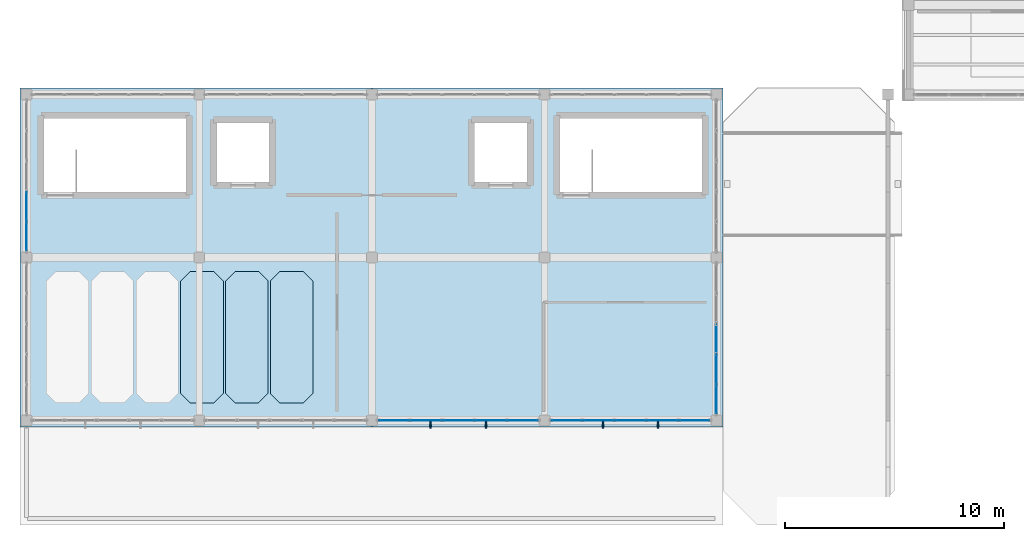
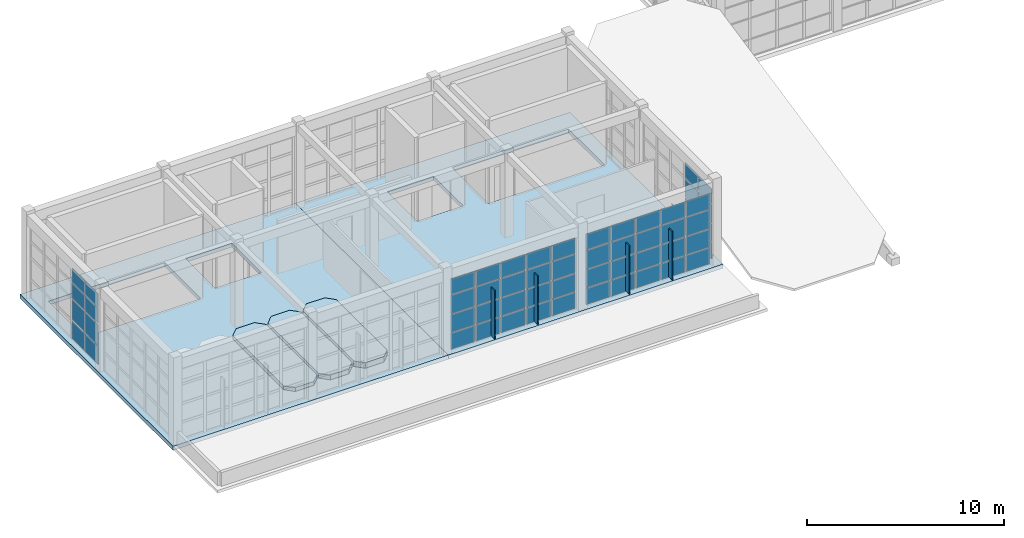
# One storey, part 63 of 103: 61 plates, 5 slabs, 4 elements without a shape of their own.
"""IFC4 building model written with IfcOpenShell, lengths in metres."""

from ifc_helpers import new_model, si_unit, direction, frame, origin, origin_2d, place, context, subcontext, project, spatial, polyline, rectangle, outline, extrude, material, layer, layer_set, type_object, element, aggregate, save


model = new_model("IFC4")

# Units and contexts
model_context = context("Model", 3, precision=1e-05, world=origin(), true_north=direction((0.0, 1.0)))
body_context = subcontext(model_context, "Body", "Model", "MODEL_VIEW")
ifc_project = project(units=[si_unit("LENGTHUNIT", "METRE"), si_unit("AREAUNIT", "SQUARE_METRE"), si_unit("VOLUMEUNIT", "CUBIC_METRE"), si_unit("PLANEANGLEUNIT", "RADIAN"), si_unit("MASSUNIT", "GRAM", prefix="KILO")], contexts=[model_context])

# Site, building, storey
site_placement = place(None, origin())
site = spatial("IfcSite", under=ifc_project, at=site_placement, CompositionType="ELEMENT")
building_placement = place(site_placement, origin())
building = spatial("IfcBuilding", under=site, at=building_placement, Name="Candilejo Ridge Gondola Terminal", CompositionType="ELEMENT")
storey_placement = place(building_placement, frame((0.0, 0.0, 9.0)))
storey = spatial("IfcBuildingStorey", under=building, at=storey_placement, Name="L02", CompositionType="ELEMENT", Elevation=9.0)

# Slabs
ifc_material_1 = material(Name="Concrete f'c 35 MPa (C35/45)", Category="concrete")
ifc_layer_1 = layer(ifc_material_1, 0.169921875)
ifc_layer_set_1 = layer_set([ifc_layer_1], Name="ARC-AUD-TIER-SLAB")
slab_type_1 = type_object("IfcSlabType", Name="ARC-AUD-TIER-SLAB", PredefinedType="USERDEFINED", material=ifc_layer_set_1)
slab_1_placement = place(storey_placement, origin())
element("IfcSlab", 1, at=slab_1_placement, inside=storey, type_object=slab_type_1, Name="Auditorium seating tier 04", ObjectType="AUDITORIUM TIER", PredefinedType="USERDEFINED", context=body_context, shape_type="SweptSolid", body=[
    extrude(outline(polyline([(11.78271484375, 11.60009765625), (12.8671875, 11.60009765625), (13.300048828125, 12.03271484375), (13.300048828125, 17.167236328125), (12.8671875, 17.60009765625), (11.78271484375, 17.60009765625), (11.35009765625, 17.167236328125), (11.35009765625, 12.03271484375), (11.78271484375, 11.60009765625)])), origin(), (0.0, 0.0, 1.0), 0.239990234375),
])
slab_2_placement = place(storey_placement, origin())
element("IfcSlab", 2, at=slab_2_placement, inside=storey, type_object=slab_type_1, Name="Auditorium seating tier 05", ObjectType="AUDITORIUM TIER", PredefinedType="USERDEFINED", context=body_context, shape_type="SweptSolid", body=[
    extrude(outline(polyline([(13.832763671875, 11.60009765625), (14.917236328125, 11.60009765625), (15.35009765625, 12.03271484375), (15.35009765625, 17.167236328125), (14.917236328125, 17.60009765625), (13.832763671875, 17.60009765625), (13.39990234375, 17.167236328125), (13.39990234375, 12.03271484375), (13.832763671875, 11.60009765625)])), origin(), (0.0, 0.0, 1.0), 0.2900390625),
])
slab_3_placement = place(storey_placement, origin())
element("IfcSlab", 3, at=slab_3_placement, inside=storey, type_object=slab_type_1, Name="Auditorium seating tier 06", ObjectType="AUDITORIUM TIER", PredefinedType="USERDEFINED", context=body_context, shape_type="SweptSolid", body=[
    extrude(outline(polyline([(15.8828125, 11.60009765625), (16.96728515625, 11.60009765625), (17.39990234375, 12.03271484375), (17.39990234375, 17.167236328125), (16.96728515625, 17.60009765625), (15.8828125, 17.60009765625), (15.449951171875, 17.167236328125), (15.449951171875, 12.03271484375), (15.8828125, 11.60009765625)])), origin(), (0.0, 0.0, 1.0), 0.340087890625),
])

# Curtain wall, plates
ifc_material_2 = material(Name="Anodised aluminium AA 6063-T6", Category="aluminium")
ifc_layer_2 = layer(ifc_material_2, 0.169921875)
ifc_layer_set_2 = layer_set([ifc_layer_2], Name="ARC-CW-GALLERY-3200-740X449")
curtain_wall_type_1 = type_object("IfcCurtainWallType", Name="ARC-CW-GALLERY-3200-740X449", PredefinedType="NOTDEFINED", material=ifc_layer_set_2)
curtain_wall_1_placement = place(storey_placement, origin())
curtain_wall_1 = element("IfcCurtainWall", 4, at=curtain_wall_1_placement, inside=storey, type_object=curtain_wall_type_1, Name="Curtain wall V1 L02-011", PredefinedType="NOTDEFINED")
ifc_material_3 = material(Name="Low-E laminated double glazing 6+12A+6+1.52PVB+6 mm", Category="glass")
ifc_layer_3 = layer(ifc_material_3, 0.028076171875)
ifc_layer_set_3 = layer_set([ifc_layer_3], Name="ARC-CW-GLAZ-PANEL")
plate_type_1 = type_object("IfcPlateType", Name="ARC-CW-GLAZ-PANEL", PredefinedType="CURTAIN_PANEL", material=ifc_layer_set_3)
plate_1_placement = place(storey_placement, frame((21.108642578125, 10.800048828125, 0.0751953125), z_axis=(0.0, 0.0, 1.0), x_axis=(1.0, 0.0, 0.0)))
plate_1 = element("IfcPlate", 5, at=plate_1_placement, type_object=plate_type_1, Name="CW-74X44 panel 1.1", PredefinedType="CURTAIN_PANEL", context=body_context, shape_type="SweptSolid", body=[
    extrude(rectangle(XDim=1.367431640625, YDim=0.028076171875, at=origin_2d()), origin(), (0.0, 0.0, 1.0), 0.987548828125),
])
plate_2_placement = place(storey_placement, frame((21.108642578125, 10.800048828125, 1.1376953125), z_axis=(0.0, 0.0, 1.0), x_axis=(1.0, 0.0, 0.0)))
plate_2 = element("IfcPlate", 6, at=plate_2_placement, type_object=plate_type_1, Name="CW-74X44 panel 1.2", PredefinedType="CURTAIN_PANEL", context=body_context, shape_type="SweptSolid", body=[
    extrude(rectangle(XDim=1.367431640625, YDim=0.028076171875, at=origin_2d()), origin(), (0.0, 0.0, 1.0), 1.074951171875),
])
plate_3_placement = place(storey_placement, frame((21.108642578125, 10.800048828125, 2.28759765625), z_axis=(0.0, 0.0, 1.0), x_axis=(1.0, 0.0, 0.0)))
plate_3 = element("IfcPlate", 7, at=plate_3_placement, type_object=plate_type_1, Name="CW-74X44 panel 1.3", PredefinedType="CURTAIN_PANEL", context=body_context, shape_type="SweptSolid", body=[
    extrude(rectangle(XDim=1.367431640625, YDim=0.028076171875, at=origin_2d()), origin(), (0.0, 0.0, 1.0), 1.125),
])
plate_4_placement = place(storey_placement, frame((21.108642578125, 10.800048828125, 3.4873046875), z_axis=(0.0, 0.0, 1.0), x_axis=(1.0, 0.0, 0.0)))
plate_4 = element("IfcPlate", 8, at=plate_4_placement, type_object=plate_type_1, Name="CW-74X44 panel 1.4", PredefinedType="CURTAIN_PANEL", context=body_context, shape_type="SweptSolid", body=[
    extrude(rectangle(XDim=1.367431640625, YDim=0.028076171875, at=origin_2d()), origin(), (0.0, 0.0, 1.0), 0.927490234375),
])
plate_5_placement = place(storey_placement, frame((22.570068359375, 10.800048828125, 0.0751953125), z_axis=(0.0, 0.0, 1.0), x_axis=(1.0, 0.0, 0.0)))
plate_5 = element("IfcPlate", 9, at=plate_5_placement, type_object=plate_type_1, Name="CW-74X44 panel 2.1", PredefinedType="CURTAIN_PANEL", context=body_context, shape_type="SweptSolid", body=[
    extrude(rectangle(XDim=1.405029296875, YDim=0.028076171875, at=origin_2d()), origin(), (0.0, 0.0, 1.0), 0.987548828125),
])
plate_6_placement = place(storey_placement, frame((22.570068359375, 10.800048828125, 1.1376953125), z_axis=(0.0, 0.0, 1.0), x_axis=(1.0, 0.0, 0.0)))
plate_6 = element("IfcPlate", 10, at=plate_6_placement, type_object=plate_type_1, Name="CW-74X44 panel 2.2", PredefinedType="CURTAIN_PANEL", context=body_context, shape_type="SweptSolid", body=[
    extrude(rectangle(XDim=1.405029296875, YDim=0.028076171875, at=origin_2d()), origin(), (0.0, 0.0, 1.0), 1.074951171875),
])
plate_7_placement = place(storey_placement, frame((22.570068359375, 10.800048828125, 2.28759765625), z_axis=(0.0, 0.0, 1.0), x_axis=(1.0, 0.0, 0.0)))
plate_7 = element("IfcPlate", 11, at=plate_7_placement, type_object=plate_type_1, Name="CW-74X44 panel 2.3", PredefinedType="CURTAIN_PANEL", context=body_context, shape_type="SweptSolid", body=[
    extrude(rectangle(XDim=1.405029296875, YDim=0.028076171875, at=origin_2d()), origin(), (0.0, 0.0, 1.0), 1.125),
])
plate_8_placement = place(storey_placement, frame((22.570068359375, 10.800048828125, 3.4873046875), z_axis=(0.0, 0.0, 1.0), x_axis=(1.0, 0.0, 0.0)))
plate_8 = element("IfcPlate", 12, at=plate_8_placement, type_object=plate_type_1, Name="CW-74X44 panel 2.4", PredefinedType="CURTAIN_PANEL", context=body_context, shape_type="SweptSolid", body=[
    extrude(rectangle(XDim=1.405029296875, YDim=0.028076171875, at=origin_2d()), origin(), (0.0, 0.0, 1.0), 0.927490234375),
])
plate_9_placement = place(storey_placement, frame((24.050048828125, 10.800048828125, 0.0751953125), z_axis=(0.0, 0.0, 1.0), x_axis=(1.0, 0.0, 0.0)))
plate_9 = element("IfcPlate", 13, at=plate_9_placement, type_object=plate_type_1, Name="CW-74X44 panel 3.1", PredefinedType="CURTAIN_PANEL", context=body_context, shape_type="SweptSolid", body=[
    extrude(rectangle(XDim=1.405029296875, YDim=0.028076171875, at=origin_2d()), origin(), (0.0, 0.0, 1.0), 0.987548828125),
])
plate_10_placement = place(storey_placement, frame((24.050048828125, 10.800048828125, 1.1376953125), z_axis=(0.0, 0.0, 1.0), x_axis=(1.0, 0.0, 0.0)))
plate_10 = element("IfcPlate", 14, at=plate_10_placement, type_object=plate_type_1, Name="CW-74X44 panel 3.2", PredefinedType="CURTAIN_PANEL", context=body_context, shape_type="SweptSolid", body=[
    extrude(rectangle(XDim=1.405029296875, YDim=0.028076171875, at=origin_2d()), origin(), (0.0, 0.0, 1.0), 1.074951171875),
])
plate_11_placement = place(storey_placement, frame((24.050048828125, 10.800048828125, 2.28759765625), z_axis=(0.0, 0.0, 1.0), x_axis=(1.0, 0.0, 0.0)))
plate_11 = element("IfcPlate", 15, at=plate_11_placement, type_object=plate_type_1, Name="CW-74X44 panel 3.3", PredefinedType="CURTAIN_PANEL", context=body_context, shape_type="SweptSolid", body=[
    extrude(rectangle(XDim=1.405029296875, YDim=0.028076171875, at=origin_2d()), origin(), (0.0, 0.0, 1.0), 1.125),
])
plate_12_placement = place(storey_placement, frame((24.050048828125, 10.800048828125, 3.4873046875), z_axis=(0.0, 0.0, 1.0), x_axis=(1.0, 0.0, 0.0)))
plate_12 = element("IfcPlate", 16, at=plate_12_placement, type_object=plate_type_1, Name="CW-74X44 panel 3.4", PredefinedType="CURTAIN_PANEL", context=body_context, shape_type="SweptSolid", body=[
    extrude(rectangle(XDim=1.405029296875, YDim=0.028076171875, at=origin_2d()), origin(), (0.0, 0.0, 1.0), 0.927490234375),
])
plate_13_placement = place(storey_placement, frame((25.530029296875, 10.800048828125, 0.0751953125), z_axis=(0.0, 0.0, 1.0), x_axis=(1.0, 0.0, 0.0)))
plate_13 = element("IfcPlate", 17, at=plate_13_placement, type_object=plate_type_1, Name="CW-74X44 panel 4.1", PredefinedType="CURTAIN_PANEL", context=body_context, shape_type="SweptSolid", body=[
    extrude(rectangle(XDim=1.405029296875, YDim=0.028076171875, at=origin_2d()), origin(), (0.0, 0.0, 1.0), 0.987548828125),
])
plate_14_placement = place(storey_placement, frame((25.530029296875, 10.800048828125, 1.1376953125), z_axis=(0.0, 0.0, 1.0), x_axis=(1.0, 0.0, 0.0)))
plate_14 = element("IfcPlate", 18, at=plate_14_placement, type_object=plate_type_1, Name="CW-74X44 panel 4.2", PredefinedType="CURTAIN_PANEL", context=body_context, shape_type="SweptSolid", body=[
    extrude(rectangle(XDim=1.405029296875, YDim=0.028076171875, at=origin_2d()), origin(), (0.0, 0.0, 1.0), 1.074951171875),
])
plate_15_placement = place(storey_placement, frame((25.530029296875, 10.800048828125, 2.28759765625), z_axis=(0.0, 0.0, 1.0), x_axis=(1.0, 0.0, 0.0)))
plate_15 = element("IfcPlate", 19, at=plate_15_placement, type_object=plate_type_1, Name="CW-74X44 panel 4.3", PredefinedType="CURTAIN_PANEL", context=body_context, shape_type="SweptSolid", body=[
    extrude(rectangle(XDim=1.405029296875, YDim=0.028076171875, at=origin_2d()), origin(), (0.0, 0.0, 1.0), 1.125),
])
plate_16_placement = place(storey_placement, frame((25.530029296875, 10.800048828125, 3.4873046875), z_axis=(0.0, 0.0, 1.0), x_axis=(1.0, 0.0, 0.0)))
plate_16 = element("IfcPlate", 20, at=plate_16_placement, type_object=plate_type_1, Name="CW-74X44 panel 4.4", PredefinedType="CURTAIN_PANEL", context=body_context, shape_type="SweptSolid", body=[
    extrude(rectangle(XDim=1.405029296875, YDim=0.028076171875, at=origin_2d()), origin(), (0.0, 0.0, 1.0), 0.927490234375),
])
plate_17_placement = place(storey_placement, frame((26.9912109375, 10.800048828125, 0.0751953125), z_axis=(0.0, 0.0, 1.0), x_axis=(1.0, 0.0, 0.0)))
plate_17 = element("IfcPlate", 21, at=plate_17_placement, type_object=plate_type_1, Name="CW-74X44 panel 5.1", PredefinedType="CURTAIN_PANEL", context=body_context, shape_type="SweptSolid", body=[
    extrude(rectangle(XDim=1.367431640625, YDim=0.028076171875, at=origin_2d()), origin(), (0.0, 0.0, 1.0), 0.987548828125),
])
plate_18_placement = place(storey_placement, frame((26.9912109375, 10.800048828125, 1.1376953125), z_axis=(0.0, 0.0, 1.0), x_axis=(1.0, 0.0, 0.0)))
plate_18 = element("IfcPlate", 22, at=plate_18_placement, type_object=plate_type_1, Name="CW-74X44 panel 5.2", PredefinedType="CURTAIN_PANEL", context=body_context, shape_type="SweptSolid", body=[
    extrude(rectangle(XDim=1.367431640625, YDim=0.028076171875, at=origin_2d()), origin(), (0.0, 0.0, 1.0), 1.074951171875),
])
plate_19_placement = place(storey_placement, frame((26.9912109375, 10.800048828125, 2.28759765625), z_axis=(0.0, 0.0, 1.0), x_axis=(1.0, 0.0, 0.0)))
plate_19 = element("IfcPlate", 23, at=plate_19_placement, type_object=plate_type_1, Name="CW-74X44 panel 5.3", PredefinedType="CURTAIN_PANEL", context=body_context, shape_type="SweptSolid", body=[
    extrude(rectangle(XDim=1.367431640625, YDim=0.028076171875, at=origin_2d()), origin(), (0.0, 0.0, 1.0), 1.125),
])
plate_20_placement = place(storey_placement, frame((26.9912109375, 10.800048828125, 3.4873046875), z_axis=(0.0, 0.0, 1.0), x_axis=(1.0, 0.0, 0.0)))
plate_20 = element("IfcPlate", 24, at=plate_20_placement, type_object=plate_type_1, Name="CW-74X44 panel 5.4", PredefinedType="CURTAIN_PANEL", context=body_context, shape_type="SweptSolid", body=[
    extrude(rectangle(XDim=1.367431640625, YDim=0.028076171875, at=origin_2d()), origin(), (0.0, 0.0, 1.0), 0.927490234375),
])
aggregate(curtain_wall_1, [plate_1, plate_2, plate_3, plate_4, plate_5, plate_6, plate_7, plate_8, plate_9, plate_10, plate_11, plate_12, plate_13, plate_14, plate_15, plate_16, plate_17, plate_18, plate_19, plate_20])

ifc_material_4 = material(Name="Anodised aluminium AA 6063-T6", Category="aluminium")
ifc_layer_4 = layer(ifc_material_4, 0.169921875)
ifc_layer_set_4 = layer_set([ifc_layer_4], Name="ARC-CW-GALLERY-3200-735X449")
curtain_wall_type_2 = type_object("IfcCurtainWallType", Name="ARC-CW-GALLERY-3200-735X449", PredefinedType="NOTDEFINED", material=ifc_layer_set_4)
curtain_wall_2_placement = place(storey_placement, origin())
curtain_wall_2 = element("IfcCurtainWall", 25, at=curtain_wall_2_placement, inside=storey, type_object=curtain_wall_type_2, Name="Curtain wall V1 L02-015", PredefinedType="NOTDEFINED")
plate_21_placement = place(storey_placement, frame((29.003662109375, 10.800048828125, 0.0751953125), z_axis=(0.0, 0.0, 1.0), x_axis=(1.0, 0.0, 0.0)))
plate_21 = element("IfcPlate", 26, at=plate_21_placement, type_object=plate_type_1, Name="CW-73X44 panel 1.1", PredefinedType="CURTAIN_PANEL", context=body_context, shape_type="SweptSolid", body=[
    extrude(rectangle(XDim=1.357421875, YDim=0.028076171875, at=origin_2d()), origin(), (0.0, 0.0, 1.0), 0.987548828125),
])
plate_22_placement = place(storey_placement, frame((29.003662109375, 10.800048828125, 1.1376953125), z_axis=(0.0, 0.0, 1.0), x_axis=(1.0, 0.0, 0.0)))
plate_22 = element("IfcPlate", 27, at=plate_22_placement, type_object=plate_type_1, Name="CW-73X44 panel 1.2", PredefinedType="CURTAIN_PANEL", context=body_context, shape_type="SweptSolid", body=[
    extrude(rectangle(XDim=1.357421875, YDim=0.028076171875, at=origin_2d()), origin(), (0.0, 0.0, 1.0), 1.074951171875),
])
plate_23_placement = place(storey_placement, frame((29.003662109375, 10.800048828125, 2.28759765625), z_axis=(0.0, 0.0, 1.0), x_axis=(1.0, 0.0, 0.0)))
plate_23 = element("IfcPlate", 28, at=plate_23_placement, type_object=plate_type_1, Name="CW-73X44 panel 1.3", PredefinedType="CURTAIN_PANEL", context=body_context, shape_type="SweptSolid", body=[
    extrude(rectangle(XDim=1.357421875, YDim=0.028076171875, at=origin_2d()), origin(), (0.0, 0.0, 1.0), 1.125),
])
plate_24_placement = place(storey_placement, frame((29.003662109375, 10.800048828125, 3.4873046875), z_axis=(0.0, 0.0, 1.0), x_axis=(1.0, 0.0, 0.0)))
plate_24 = element("IfcPlate", 29, at=plate_24_placement, type_object=plate_type_1, Name="CW-73X44 panel 1.4", PredefinedType="CURTAIN_PANEL", context=body_context, shape_type="SweptSolid", body=[
    extrude(rectangle(XDim=1.357421875, YDim=0.028076171875, at=origin_2d()), origin(), (0.0, 0.0, 1.0), 0.927490234375),
])
plate_25_placement = place(storey_placement, frame((30.455078125, 10.800048828125, 0.0751953125), z_axis=(0.0, 0.0, 1.0), x_axis=(1.0, 0.0, 0.0)))
plate_25 = element("IfcPlate", 30, at=plate_25_placement, type_object=plate_type_1, Name="CW-73X44 panel 2.1", PredefinedType="CURTAIN_PANEL", context=body_context, shape_type="SweptSolid", body=[
    extrude(rectangle(XDim=1.39501953125, YDim=0.028076171875, at=origin_2d()), origin(), (0.0, 0.0, 1.0), 0.987548828125),
])
plate_26_placement = place(storey_placement, frame((30.455078125, 10.800048828125, 1.1376953125), z_axis=(0.0, 0.0, 1.0), x_axis=(1.0, 0.0, 0.0)))
plate_26 = element("IfcPlate", 31, at=plate_26_placement, type_object=plate_type_1, Name="CW-73X44 panel 2.2", PredefinedType="CURTAIN_PANEL", context=body_context, shape_type="SweptSolid", body=[
    extrude(rectangle(XDim=1.39501953125, YDim=0.028076171875, at=origin_2d()), origin(), (0.0, 0.0, 1.0), 1.074951171875),
])
plate_27_placement = place(storey_placement, frame((30.455078125, 10.800048828125, 2.28759765625), z_axis=(0.0, 0.0, 1.0), x_axis=(1.0, 0.0, 0.0)))
plate_27 = element("IfcPlate", 32, at=plate_27_placement, type_object=plate_type_1, Name="CW-73X44 panel 2.3", PredefinedType="CURTAIN_PANEL", context=body_context, shape_type="SweptSolid", body=[
    extrude(rectangle(XDim=1.39501953125, YDim=0.028076171875, at=origin_2d()), origin(), (0.0, 0.0, 1.0), 1.125),
])
plate_28_placement = place(storey_placement, frame((30.455078125, 10.800048828125, 3.4873046875), z_axis=(0.0, 0.0, 1.0), x_axis=(1.0, 0.0, 0.0)))
plate_28 = element("IfcPlate", 33, at=plate_28_placement, type_object=plate_type_1, Name="CW-73X44 panel 2.4", PredefinedType="CURTAIN_PANEL", context=body_context, shape_type="SweptSolid", body=[
    extrude(rectangle(XDim=1.39501953125, YDim=0.028076171875, at=origin_2d()), origin(), (0.0, 0.0, 1.0), 0.927490234375),
])
plate_29_placement = place(storey_placement, frame((31.925048828125, 10.800048828125, 0.0751953125), z_axis=(0.0, 0.0, 1.0), x_axis=(1.0, 0.0, 0.0)))
plate_29 = element("IfcPlate", 34, at=plate_29_placement, type_object=plate_type_1, Name="CW-73X44 panel 3.1", PredefinedType="CURTAIN_PANEL", context=body_context, shape_type="SweptSolid", body=[
    extrude(rectangle(XDim=1.39501953125, YDim=0.028076171875, at=origin_2d()), origin(), (0.0, 0.0, 1.0), 0.987548828125),
])
plate_30_placement = place(storey_placement, frame((31.925048828125, 10.800048828125, 1.1376953125), z_axis=(0.0, 0.0, 1.0), x_axis=(1.0, 0.0, 0.0)))
plate_30 = element("IfcPlate", 35, at=plate_30_placement, type_object=plate_type_1, Name="CW-73X44 panel 3.2", PredefinedType="CURTAIN_PANEL", context=body_context, shape_type="SweptSolid", body=[
    extrude(rectangle(XDim=1.39501953125, YDim=0.028076171875, at=origin_2d()), origin(), (0.0, 0.0, 1.0), 1.074951171875),
])
plate_31_placement = place(storey_placement, frame((31.925048828125, 10.800048828125, 2.28759765625), z_axis=(0.0, 0.0, 1.0), x_axis=(1.0, 0.0, 0.0)))
plate_31 = element("IfcPlate", 36, at=plate_31_placement, type_object=plate_type_1, Name="CW-73X44 panel 3.3", PredefinedType="CURTAIN_PANEL", context=body_context, shape_type="SweptSolid", body=[
    extrude(rectangle(XDim=1.39501953125, YDim=0.028076171875, at=origin_2d()), origin(), (0.0, 0.0, 1.0), 1.125),
])
plate_32_placement = place(storey_placement, frame((31.925048828125, 10.800048828125, 3.4873046875), z_axis=(0.0, 0.0, 1.0), x_axis=(1.0, 0.0, 0.0)))
plate_32 = element("IfcPlate", 37, at=plate_32_placement, type_object=plate_type_1, Name="CW-73X44 panel 3.4", PredefinedType="CURTAIN_PANEL", context=body_context, shape_type="SweptSolid", body=[
    extrude(rectangle(XDim=1.39501953125, YDim=0.028076171875, at=origin_2d()), origin(), (0.0, 0.0, 1.0), 0.927490234375),
])
plate_33_placement = place(storey_placement, frame((33.39501953125, 10.800048828125, 0.0751953125), z_axis=(0.0, 0.0, 1.0), x_axis=(1.0, 0.0, 0.0)))
plate_33 = element("IfcPlate", 38, at=plate_33_placement, type_object=plate_type_1, Name="CW-73X44 panel 4.1", PredefinedType="CURTAIN_PANEL", context=body_context, shape_type="SweptSolid", body=[
    extrude(rectangle(XDim=1.39501953125, YDim=0.028076171875, at=origin_2d()), origin(), (0.0, 0.0, 1.0), 0.987548828125),
])
plate_34_placement = place(storey_placement, frame((33.39501953125, 10.800048828125, 1.1376953125), z_axis=(0.0, 0.0, 1.0), x_axis=(1.0, 0.0, 0.0)))
plate_34 = element("IfcPlate", 39, at=plate_34_placement, type_object=plate_type_1, Name="CW-73X44 panel 4.2", PredefinedType="CURTAIN_PANEL", context=body_context, shape_type="SweptSolid", body=[
    extrude(rectangle(XDim=1.39501953125, YDim=0.028076171875, at=origin_2d()), origin(), (0.0, 0.0, 1.0), 1.074951171875),
])
plate_35_placement = place(storey_placement, frame((33.39501953125, 10.800048828125, 2.28759765625), z_axis=(0.0, 0.0, 1.0), x_axis=(1.0, 0.0, 0.0)))
plate_35 = element("IfcPlate", 40, at=plate_35_placement, type_object=plate_type_1, Name="CW-73X44 panel 4.3", PredefinedType="CURTAIN_PANEL", context=body_context, shape_type="SweptSolid", body=[
    extrude(rectangle(XDim=1.39501953125, YDim=0.028076171875, at=origin_2d()), origin(), (0.0, 0.0, 1.0), 1.125),
])
plate_36_placement = place(storey_placement, frame((33.39501953125, 10.800048828125, 3.4873046875), z_axis=(0.0, 0.0, 1.0), x_axis=(1.0, 0.0, 0.0)))
plate_36 = element("IfcPlate", 41, at=plate_36_placement, type_object=plate_type_1, Name="CW-73X44 panel 4.4", PredefinedType="CURTAIN_PANEL", context=body_context, shape_type="SweptSolid", body=[
    extrude(rectangle(XDim=1.39501953125, YDim=0.028076171875, at=origin_2d()), origin(), (0.0, 0.0, 1.0), 0.927490234375),
])
plate_37_placement = place(storey_placement, frame((34.84619140625, 10.800048828125, 0.0751953125), z_axis=(0.0, 0.0, 1.0), x_axis=(1.0, 0.0, 0.0)))
plate_37 = element("IfcPlate", 42, at=plate_37_placement, type_object=plate_type_1, Name="CW-73X44 panel 5.1", PredefinedType="CURTAIN_PANEL", context=body_context, shape_type="SweptSolid", body=[
    extrude(rectangle(XDim=1.357421875, YDim=0.028076171875, at=origin_2d()), origin(), (0.0, 0.0, 1.0), 0.987548828125),
])
plate_38_placement = place(storey_placement, frame((34.84619140625, 10.800048828125, 1.1376953125), z_axis=(0.0, 0.0, 1.0), x_axis=(1.0, 0.0, 0.0)))
plate_38 = element("IfcPlate", 43, at=plate_38_placement, type_object=plate_type_1, Name="CW-73X44 panel 5.2", PredefinedType="CURTAIN_PANEL", context=body_context, shape_type="SweptSolid", body=[
    extrude(rectangle(XDim=1.357421875, YDim=0.028076171875, at=origin_2d()), origin(), (0.0, 0.0, 1.0), 1.074951171875),
])
plate_39_placement = place(storey_placement, frame((34.84619140625, 10.800048828125, 2.28759765625), z_axis=(0.0, 0.0, 1.0), x_axis=(1.0, 0.0, 0.0)))
plate_39 = element("IfcPlate", 44, at=plate_39_placement, type_object=plate_type_1, Name="CW-73X44 panel 5.3", PredefinedType="CURTAIN_PANEL", context=body_context, shape_type="SweptSolid", body=[
    extrude(rectangle(XDim=1.357421875, YDim=0.028076171875, at=origin_2d()), origin(), (0.0, 0.0, 1.0), 1.125),
])
plate_40_placement = place(storey_placement, frame((34.84619140625, 10.800048828125, 3.4873046875), z_axis=(0.0, 0.0, 1.0), x_axis=(1.0, 0.0, 0.0)))
plate_40 = element("IfcPlate", 45, at=plate_40_placement, type_object=plate_type_1, Name="CW-73X44 panel 5.4", PredefinedType="CURTAIN_PANEL", context=body_context, shape_type="SweptSolid", body=[
    extrude(rectangle(XDim=1.357421875, YDim=0.028076171875, at=origin_2d()), origin(), (0.0, 0.0, 1.0), 0.927490234375),
])
aggregate(curtain_wall_2, [plate_21, plate_22, plate_23, plate_24, plate_25, plate_26, plate_27, plate_28, plate_29, plate_30, plate_31, plate_32, plate_33, plate_34, plate_35, plate_36, plate_37, plate_38, plate_39, plate_40])

ifc_material_5 = material(Name="Anodised aluminium AA 6063-T6", Category="aluminium")
ifc_layer_5 = layer(ifc_material_5, 0.169921875)
ifc_layer_set_5 = layer_set([ifc_layer_5], Name="ARC-CW-CONCOURSE-3600-695X449")
curtain_wall_type_3 = type_object("IfcCurtainWallType", Name="ARC-CW-CONCOURSE-3600-695X449", PredefinedType="NOTDEFINED", material=ifc_layer_set_5)
curtain_wall_3_placement = place(storey_placement, origin())
curtain_wall_3 = element("IfcCurtainWall", 46, at=curtain_wall_3_placement, inside=storey, type_object=curtain_wall_type_3, Name="Curtain wall V1 L02-023", PredefinedType="NOTDEFINED")
plate_41_placement = place(storey_placement, frame((4.300048828125, 19.2138671875, 0.074951171875), z_axis=(0.0, 0.0, 1.0), x_axis=(0.0, 1.0, 0.0)))
plate_41 = element("IfcPlate", 47, at=plate_41_placement, type_object=plate_type_1, Name="CW-69X44 panel 1.1", PredefinedType="CURTAIN_PANEL", context=body_context, shape_type="SweptSolid", body=[
    extrude(rectangle(XDim=1.277587890625, YDim=0.028076171875, at=origin_2d()), origin(), (0.0, 0.0, 1.0), 1.08740234375),
])
plate_42_placement = place(storey_placement, frame((4.300048828125, 19.2138671875, 1.237548828125), z_axis=(0.0, 0.0, 1.0), x_axis=(0.0, 1.0, 0.0)))
plate_42 = element("IfcPlate", 48, at=plate_42_placement, type_object=plate_type_1, Name="CW-69X44 panel 1.2", PredefinedType="CURTAIN_PANEL", context=body_context, shape_type="SweptSolid", body=[
    extrude(rectangle(XDim=1.277587890625, YDim=0.028076171875, at=origin_2d()), origin(), (0.0, 0.0, 1.0), 1.27490234375),
])
plate_43_placement = place(storey_placement, frame((4.300048828125, 19.2138671875, 2.58740234375), z_axis=(0.0, 0.0, 1.0), x_axis=(0.0, 1.0, 0.0)))
plate_43 = element("IfcPlate", 49, at=plate_43_placement, type_object=plate_type_1, Name="CW-69X44 panel 1.3", PredefinedType="CURTAIN_PANEL", context=body_context, shape_type="SweptSolid", body=[
    extrude(rectangle(XDim=1.277587890625, YDim=0.028076171875, at=origin_2d()), origin(), (0.0, 0.0, 1.0), 0.925048828125),
])
plate_44_placement = place(storey_placement, frame((4.300048828125, 19.2138671875, 3.58740234375), z_axis=(0.0, 0.0, 1.0), x_axis=(0.0, 1.0, 0.0)))
plate_44 = element("IfcPlate", 50, at=plate_44_placement, type_object=plate_type_1, Name="CW-69X44 panel 1.4", PredefinedType="CURTAIN_PANEL", context=body_context, shape_type="SweptSolid", body=[
    extrude(rectangle(XDim=1.277587890625, YDim=0.028076171875, at=origin_2d()), origin(), (0.0, 0.0, 1.0), 0.827392578125),
])
plate_45_placement = place(storey_placement, frame((4.300048828125, 20.5849609375, 0.074951171875), z_axis=(0.0, 0.0, 1.0), x_axis=(0.0, 1.0, 0.0)))
plate_45 = element("IfcPlate", 51, at=plate_45_placement, type_object=plate_type_1, Name="CW-69X44 panel 2.1", PredefinedType="CURTAIN_PANEL", context=body_context, shape_type="SweptSolid", body=[
    extrude(rectangle(XDim=1.31494140625, YDim=0.028076171875, at=origin_2d()), origin(), (0.0, 0.0, 1.0), 1.08740234375),
])
plate_46_placement = place(storey_placement, frame((4.300048828125, 20.5849609375, 1.237548828125), z_axis=(0.0, 0.0, 1.0), x_axis=(0.0, 1.0, 0.0)))
plate_46 = element("IfcPlate", 52, at=plate_46_placement, type_object=plate_type_1, Name="CW-69X44 panel 2.2", PredefinedType="CURTAIN_PANEL", context=body_context, shape_type="SweptSolid", body=[
    extrude(rectangle(XDim=1.31494140625, YDim=0.028076171875, at=origin_2d()), origin(), (0.0, 0.0, 1.0), 1.27490234375),
])
plate_47_placement = place(storey_placement, frame((4.300048828125, 20.5849609375, 2.58740234375), z_axis=(0.0, 0.0, 1.0), x_axis=(0.0, 1.0, 0.0)))
plate_47 = element("IfcPlate", 53, at=plate_47_placement, type_object=plate_type_1, Name="CW-69X44 panel 2.3", PredefinedType="CURTAIN_PANEL", context=body_context, shape_type="SweptSolid", body=[
    extrude(rectangle(XDim=1.31494140625, YDim=0.028076171875, at=origin_2d()), origin(), (0.0, 0.0, 1.0), 0.925048828125),
])
plate_48_placement = place(storey_placement, frame((4.300048828125, 20.5849609375, 3.58740234375), z_axis=(0.0, 0.0, 1.0), x_axis=(0.0, 1.0, 0.0)))
plate_48 = element("IfcPlate", 54, at=plate_48_placement, type_object=plate_type_1, Name="CW-69X44 panel 2.4", PredefinedType="CURTAIN_PANEL", context=body_context, shape_type="SweptSolid", body=[
    extrude(rectangle(XDim=1.31494140625, YDim=0.028076171875, at=origin_2d()), origin(), (0.0, 0.0, 1.0), 0.827392578125),
])
aggregate(curtain_wall_3, [plate_41, plate_42, plate_43, plate_44, plate_45, plate_46, plate_47, plate_48])

ifc_material_6 = material(Name="Anodised aluminium AA 6063-T6", Category="aluminium")
ifc_layer_6 = layer(ifc_material_6, 0.169921875)
ifc_layer_set_6 = layer_set([ifc_layer_6], Name="ARC-CW-GALLERY-3200-695X449")
curtain_wall_type_4 = type_object("IfcCurtainWallType", Name="ARC-CW-GALLERY-3200-695X449", PredefinedType="NOTDEFINED", material=ifc_layer_set_6)
curtain_wall_4_placement = place(storey_placement, origin())
curtain_wall_4 = element("IfcCurtainWall", 55, at=curtain_wall_4_placement, inside=storey, type_object=curtain_wall_type_4, Name="Curtain wall V1 L02-026", PredefinedType="NOTDEFINED")
plate_49_placement = place(storey_placement, frame((35.85009765625, 11.763671875, 0.0751953125), z_axis=(0.0, 0.0, 1.0), x_axis=(0.0, 1.0, 0.0)))
plate_49 = element("IfcPlate", 56, at=plate_49_placement, type_object=plate_type_1, Name="CW-69X44 panel 1.1", PredefinedType="CURTAIN_PANEL", context=body_context, shape_type="SweptSolid", body=[
    extrude(rectangle(XDim=1.277587890625, YDim=0.028076171875, at=origin_2d()), origin(), (0.0, 0.0, 1.0), 0.987548828125),
])
plate_50_placement = place(storey_placement, frame((35.85009765625, 11.763671875, 1.1376953125), z_axis=(0.0, 0.0, 1.0), x_axis=(0.0, 1.0, 0.0)))
plate_50 = element("IfcPlate", 57, at=plate_50_placement, type_object=plate_type_1, Name="CW-69X44 panel 1.2", PredefinedType="CURTAIN_PANEL", context=body_context, shape_type="SweptSolid", body=[
    extrude(rectangle(XDim=1.277587890625, YDim=0.028076171875, at=origin_2d()), origin(), (0.0, 0.0, 1.0), 1.074951171875),
])
plate_51_placement = place(storey_placement, frame((35.85009765625, 11.763671875, 2.28759765625), z_axis=(0.0, 0.0, 1.0), x_axis=(0.0, 1.0, 0.0)))
plate_51 = element("IfcPlate", 58, at=plate_51_placement, type_object=plate_type_1, Name="CW-69X44 panel 1.3", PredefinedType="CURTAIN_PANEL", context=body_context, shape_type="SweptSolid", body=[
    extrude(rectangle(XDim=1.277587890625, YDim=0.028076171875, at=origin_2d()), origin(), (0.0, 0.0, 1.0), 1.125),
])
plate_52_placement = place(storey_placement, frame((35.85009765625, 11.763671875, 3.4873046875), z_axis=(0.0, 0.0, 1.0), x_axis=(0.0, 1.0, 0.0)))
plate_52 = element("IfcPlate", 59, at=plate_52_placement, type_object=plate_type_1, Name="CW-69X44 panel 1.4", PredefinedType="CURTAIN_PANEL", context=body_context, shape_type="SweptSolid", body=[
    extrude(rectangle(XDim=1.277587890625, YDim=0.028076171875, at=origin_2d()), origin(), (0.0, 0.0, 1.0), 0.927490234375),
])
plate_53_placement = place(storey_placement, frame((35.85009765625, 13.135009765625, 0.0751953125), z_axis=(0.0, 0.0, 1.0), x_axis=(0.0, 1.0, 0.0)))
plate_53 = element("IfcPlate", 60, at=plate_53_placement, type_object=plate_type_1, Name="CW-69X44 panel 2.1", PredefinedType="CURTAIN_PANEL", context=body_context, shape_type="SweptSolid", body=[
    extrude(rectangle(XDim=1.31494140625, YDim=0.028076171875, at=origin_2d()), origin(), (0.0, 0.0, 1.0), 0.987548828125),
])
plate_54_placement = place(storey_placement, frame((35.85009765625, 13.135009765625, 1.1376953125), z_axis=(0.0, 0.0, 1.0), x_axis=(0.0, 1.0, 0.0)))
plate_54 = element("IfcPlate", 61, at=plate_54_placement, type_object=plate_type_1, Name="CW-69X44 panel 2.2", PredefinedType="CURTAIN_PANEL", context=body_context, shape_type="SweptSolid", body=[
    extrude(rectangle(XDim=1.31494140625, YDim=0.028076171875, at=origin_2d()), origin(), (0.0, 0.0, 1.0), 1.074951171875),
])
plate_55_placement = place(storey_placement, frame((35.85009765625, 13.135009765625, 2.28759765625), z_axis=(0.0, 0.0, 1.0), x_axis=(0.0, 1.0, 0.0)))
plate_55 = element("IfcPlate", 62, at=plate_55_placement, type_object=plate_type_1, Name="CW-69X44 panel 2.3", PredefinedType="CURTAIN_PANEL", context=body_context, shape_type="SweptSolid", body=[
    extrude(rectangle(XDim=1.31494140625, YDim=0.028076171875, at=origin_2d()), origin(), (0.0, 0.0, 1.0), 1.125),
])
plate_56_placement = place(storey_placement, frame((35.85009765625, 13.135009765625, 3.4873046875), z_axis=(0.0, 0.0, 1.0), x_axis=(0.0, 1.0, 0.0)))
plate_56 = element("IfcPlate", 63, at=plate_56_placement, type_object=plate_type_1, Name="CW-69X44 panel 2.4", PredefinedType="CURTAIN_PANEL", context=body_context, shape_type="SweptSolid", body=[
    extrude(rectangle(XDim=1.31494140625, YDim=0.028076171875, at=origin_2d()), origin(), (0.0, 0.0, 1.0), 0.927490234375),
])
plate_57_placement = place(storey_placement, frame((35.85009765625, 14.52490234375, 0.0751953125), z_axis=(0.0, 0.0, 1.0), x_axis=(0.0, 1.0, 0.0)))
plate_57 = element("IfcPlate", 64, at=plate_57_placement, type_object=plate_type_1, Name="CW-69X44 panel 3.1", PredefinedType="CURTAIN_PANEL", context=body_context, shape_type="SweptSolid", body=[
    extrude(rectangle(XDim=1.31494140625, YDim=0.028076171875, at=origin_2d()), origin(), (0.0, 0.0, 1.0), 0.987548828125),
])
aggregate(curtain_wall_4, [plate_49, plate_50, plate_51, plate_52, plate_53, plate_54, plate_55, plate_56, plate_57])

# Plates
ifc_material_7 = material(Name="Extruded architectural terracotta fin", Category="masonry")
plate_type_2 = type_object("IfcPlateType", Name="ARC-SOLAR-FIN-340", PredefinedType="USERDEFINED", material=ifc_material_7)
for number, where, z_axis, x_axis, name in (
    (65, (22.785888671875, 10.615966796875, 0.10009765625), (0.0, 0.0, 1.0), (1.0, 0.0, 0.0), "Terracotta solar fin V1-05"),
    (66, (25.31396484375, 10.615966796875, 0.10009765625), (0.0, 0.0, 1.0), (1.0, 0.0, 0.0), "Terracotta solar fin V1-06"),
    (67, (30.6689453125, 10.615966796875, 0.10009765625), (0.0, 0.0, 1.0), (1.0, 0.0, 0.0), "Terracotta solar fin V1-07"),
    (68, (33.180908203125, 10.615966796875, 0.10009765625), (0.0, 0.0, 1.0), (1.0, 0.0, 0.0), "Terracotta solar fin V1-08"),
):
    element("IfcPlate", number, at=place(storey_placement, frame(where, z_axis=z_axis, x_axis=x_axis)), inside=storey, type_object=plate_type_2, Name=name, ObjectType="SOLAR FIN", PredefinedType="USERDEFINED", context=body_context, shape_type="SweptSolid", body=[
        extrude(rectangle(XDim=0.06494140625, YDim=0.340087890625, at=origin_2d()), origin(), (0.0, 0.0, 1.0), 3.0),
    ])

# Slabs
ifc_material_8 = material(Name="Concrete f'c 35 MPa (C35/45)", Category="concrete")
ifc_layer_7 = layer(ifc_material_8, 0.25)
ifc_layer_set_7 = layer_set([ifc_layer_7], Name="STR-FLOOR-SLAB-250")
slab_type_2 = type_object("IfcSlabType", Name="STR-FLOOR-SLAB-250", PredefinedType="FLOOR", material=ifc_layer_set_7)
slab_4_placement = place(storey_placement, frame((0.0, 0.0, -0.25)))
element("IfcSlab", 69, at=slab_4_placement, inside=storey, type_object=slab_type_2, Name="Slab SLB-V1-L02-W", PredefinedType="FLOOR", context=body_context, shape_type="SweptSolid", body=[
    extrude(outline(polyline([(4.0, 10.5), (20.10009765625, 10.5), (20.10009765625, 26.0), (4.0, 26.0), (4.0, 10.5)]), holes=[polyline([(4.949951171875, 21.10009765625), (11.75, 21.10009765625), (11.75, 24.75), (4.949951171875, 24.75), (4.949951171875, 21.10009765625)]), polyline([(12.85009765625, 21.550048828125), (15.550048828125, 21.550048828125), (15.550048828125, 24.550048828125), (12.85009765625, 24.550048828125), (12.85009765625, 21.550048828125)])]), origin(), (0.0, 0.0, 1.0), 0.25),
])
slab_5_placement = place(storey_placement, frame((0.0, 0.0, -0.25)))
element("IfcSlab", 70, at=slab_5_placement, inside=storey, type_object=slab_type_2, Name="Slab SLB-V1-L02-E", PredefinedType="FLOOR", context=body_context, shape_type="SweptSolid", body=[
    extrude(outline(polyline([(20.10009765625, 10.5), (36.14990234375, 10.5), (36.14990234375, 26.0), (20.10009765625, 26.0), (20.10009765625, 10.5)]), holes=[polyline([(28.550048828125, 21.10009765625), (35.35009765625, 21.10009765625), (35.35009765625, 24.75), (28.550048828125, 24.75), (28.550048828125, 21.10009765625)]), polyline([(24.64990234375, 21.550048828125), (27.35009765625, 21.550048828125), (27.35009765625, 24.550048828125), (24.64990234375, 24.550048828125), (24.64990234375, 21.550048828125)])]), origin(), (0.0, 0.0, 1.0), 0.25),
])

save(model, "model.ifc")
